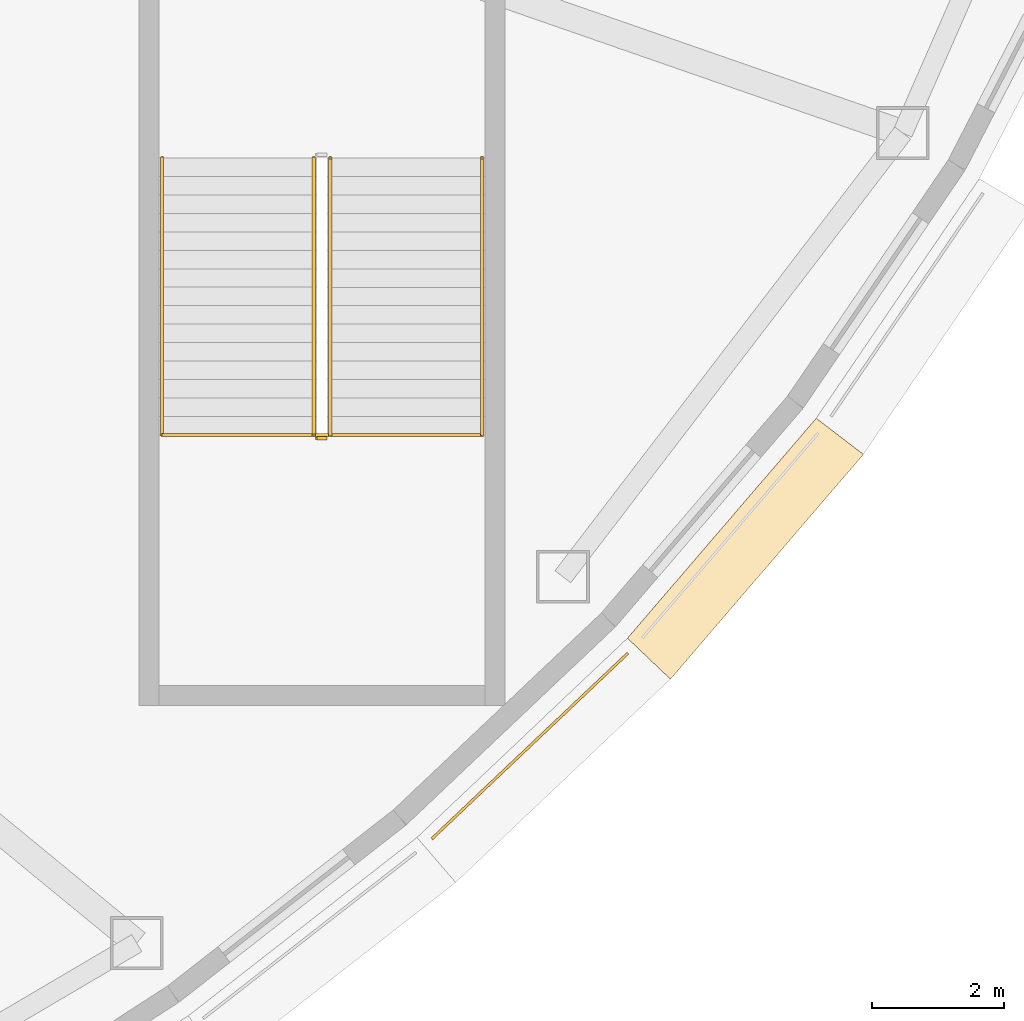
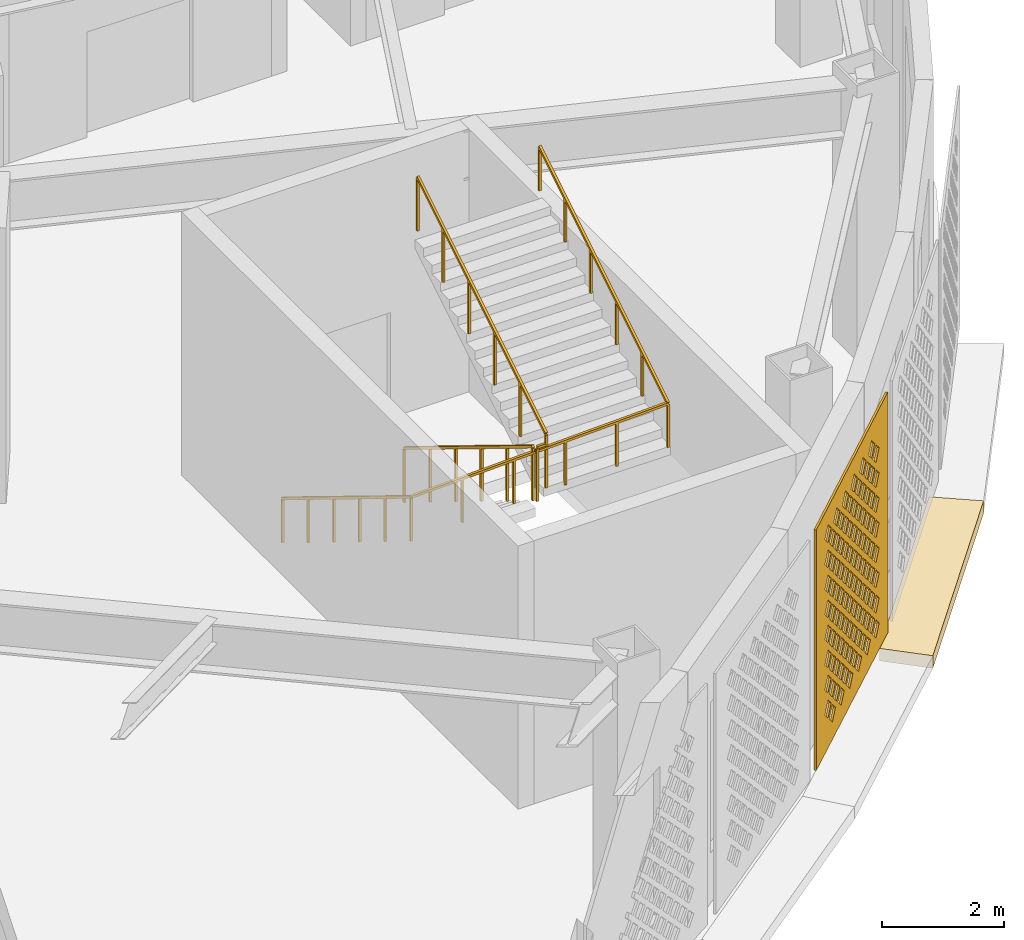
# One storey, part 65 of 69: 4 railings, 2 coverings.
"""IFC4 building model written with IfcOpenShell, lengths in metres."""

import ifcopenshell
import ifcopenshell.guid

model = None  # the IFC model being written
_history = None  # IfcOwnerHistory: only IFC2X3 demands one
_inside = {}  # id of a spatial element -> (the spatial element, [elements in it])
_under = {}  # id of a project, library or spatial element -> (it, [spatial elements below it])
_declared = {}  # id of a project -> (the project, [libraries it declares])
_typed = {}  # id of a type object -> (the type object, [elements of that type])
_made_of = {}  # id of a material, layer set ... -> (it, [elements and type objects made of it])


def new_model(schema):
    """Start an empty IFC model of exactly this schema.

    Asked for "IFC4X3", IfcOpenShell would pick the latest addendum, in which some entities
    have other attributes; the version numbers below select the first issue.
    IFC2X3 requires an IfcOwnerHistory on every rooted entity: one is made here for all.
    """
    global model, _history
    if schema == "IFC4X3":
        model = ifcopenshell.file(schema_version=(4, 3, 0, 0))
    else:
        model = ifcopenshell.file(schema=schema)
    _inside.clear()
    _under.clear()
    _declared.clear()
    _typed.clear()
    _made_of.clear()
    _history = None
    if model.schema == "IFC2X3":
        org = make("IfcOrganization", Name="unknown")
        user = make(
            "IfcPersonAndOrganization",
            ThePerson=make("IfcPerson", FamilyName="unknown"),
            TheOrganization=org,
        )
        app = make(
            "IfcApplication",
            ApplicationDeveloper=org,
            Version="unknown",
            ApplicationFullName="unknown",
            ApplicationIdentifier="unknown",
        )
        _history = make(
            "IfcOwnerHistory",
            OwningUser=user,
            OwningApplication=app,
            ChangeAction="ADDED",
            CreationDate=0,
        )
    return model


def make(cls, **values):
    """One entity of the class cls with the attributes given. An attribute that is None is left unset."""
    return model.create_entity(
        cls, **{name: value for name, value in values.items() if value is not None}
    )


def rooted(cls, **values):
    """An entity with a GlobalId (a new one), such as an element, a storey or a relation."""
    return make(cls, GlobalId=ifcopenshell.guid.new(), OwnerHistory=_history, **values)


def si_unit(unit_type, name, prefix=None):
    """IfcSIUnit, for example si_unit("LENGTHUNIT", "METRE", prefix="MILLI")."""
    return make("IfcSIUnit", UnitType=unit_type, Prefix=prefix, Name=name)


def assignment(units):
    """IfcUnitAssignment: the units of a project."""
    return None if units is None else make("IfcUnitAssignment", Units=units)


def point(xyz):
    """IfcCartesianPoint."""
    return None if xyz is None else make("IfcCartesianPoint", Coordinates=xyz)


def direction(xyz):
    """IfcDirection."""
    return None if xyz is None else make("IfcDirection", DirectionRatios=xyz)


def frame(location, z_axis=None, x_axis=None):
    """IfcAxis2Placement3D, a coordinate frame: its origin and axes. An axis left out is left unset."""
    return make(
        "IfcAxis2Placement3D",
        Location=point(location),
        Axis=direction(z_axis),
        RefDirection=direction(x_axis),
    )


def frame_2d(location, x_axis=None):
    """IfcAxis2Placement2D, a coordinate frame in the plane: its origin and x axis."""
    return make(
        "IfcAxis2Placement2D", Location=point(location), RefDirection=direction(x_axis)
    )


def origin():
    """The frame at (0, 0, 0) with its axes left unset."""
    return frame((0.0, 0.0, 0.0))


def origin_2d():
    """The frame at (0, 0) in the plane with its x axis left unset."""
    return frame_2d((0.0, 0.0))


def place(relative_to, where):
    """IfcLocalPlacement: puts the frame where relative to a parent placement (None: the world)."""
    return make(
        "IfcLocalPlacement", PlacementRelTo=relative_to, RelativePlacement=where
    )


def context(
    kind, dimensions, precision=None, world=None, true_north=None, identifier=None
):
    """IfcGeometricRepresentationContext, for example the 3D "Model" context."""
    return make(
        "IfcGeometricRepresentationContext",
        ContextIdentifier=identifier,
        ContextType=kind,
        CoordinateSpaceDimension=dimensions,
        Precision=precision,
        WorldCoordinateSystem=world,
        TrueNorth=true_north,
    )


def subcontext(parent, identifier, kind, view, scale=None):
    """IfcGeometricRepresentationSubContext, for example "Body" below "Model"."""
    return make(
        "IfcGeometricRepresentationSubContext",
        ContextIdentifier=identifier,
        ContextType=kind,
        ParentContext=parent,
        TargetScale=scale,
        TargetView=view,
    )


def project(units=None, contexts=None):
    """IfcProject with its units and contexts."""
    return rooted(
        "IfcProject",
        Name="project",
        RepresentationContexts=contexts,
        UnitsInContext=assignment(units),
    )


def spatial(cls, under=None, at=None, **own):
    """A site, building, storey or space (cls), placed at a placement, below another one or the project."""
    s = rooted(cls, ObjectPlacement=at, **own)
    if under is not None:
        _under.setdefault(under.id(), (under, []))[1].append(s)
    return s


def polyline(points):
    """IfcPolyline through the points."""
    return make("IfcPolyline", Points=[point(p) for p in points])


def profile(cls, at=None, kind="AREA", **sizes):
    """A parametric profile (cls). Its sizes go by their IFC names, for example OverallWidth=200.0."""
    return make(cls, ProfileType=kind, Position=at, **sizes)


def rectangle(**sizes):
    """IfcRectangleProfileDef."""
    return profile("IfcRectangleProfileDef", **sizes)


def outline(outer, holes=None, kind="AREA"):
    """IfcArbitraryClosedProfileDef: a profile drawn as a closed curve; with holes, ...WithVoids."""
    if holes is None:
        return make("IfcArbitraryClosedProfileDef", ProfileType=kind, OuterCurve=outer)
    return make(
        "IfcArbitraryProfileDefWithVoids",
        ProfileType=kind,
        OuterCurve=outer,
        InnerCurves=holes,
    )


def extrude(swept, where, along, depth):
    """IfcExtrudedAreaSolid: the profile swept, set in the frame where, extruded along a direction by depth."""
    return make(
        "IfcExtrudedAreaSolid",
        SweptArea=swept,
        Position=where,
        ExtrudedDirection=direction(along),
        Depth=depth,
    )


def shape(context_of_items, identifier, shape_type, items):
    """IfcShapeRepresentation: the items that make up one representation, for example the "Body"."""
    return make(
        "IfcShapeRepresentation",
        ContextOfItems=context_of_items,
        RepresentationIdentifier=identifier,
        RepresentationType=shape_type,
        Items=items,
    )


def material(Name=None, Category=None):
    """IfcMaterial."""
    return make("IfcMaterial", Name=Name, Category=Category)


def layer(
    of_material, thickness, ventilated=None, Name=None, Category=None, Priority=None
):
    """IfcMaterialLayer: one layer of a wall or slab, of a material (None: an air gap)."""
    return make(
        "IfcMaterialLayer",
        Material=of_material,
        LayerThickness=thickness,
        IsVentilated=ventilated,
        Name=Name,
        Category=Category,
        Priority=Priority,
    )


def layer_set(layers, Name=None):
    """IfcMaterialLayerSet."""
    return make("IfcMaterialLayerSet", MaterialLayers=layers, LayerSetName=Name)


def made_of(thing, what):
    """Note that an element or type object is made of a material, layer set ...; save() writes the relation."""
    if what is not None:
        _made_of.setdefault(what.id(), (what, []))[1].append(thing)
    return thing


def type_object(cls, material=None, **own):
    """A type object (cls), such as IfcWallType, which elements share."""
    return made_of(rooted(cls, **own), material)


def element(
    cls,
    number,
    at=None,
    inside=None,
    cuts=None,
    type_object=None,
    material=None,
    context=None,
    identifier="Body",
    shape_type=None,
    held_by="IfcProductDefinitionShape",
    body=None,
    shapes=None,
    **own,
):
    """One element of the class cls, such as IfcWall. Its Tag is "e" and its number.

    at: its placement. inside: the storey or other place that contains it. cuts: it is an
    opening in that element (IfcRelVoidsElement). A single representation is given by context,
    identifier, shape_type and body (its items); several are given by shapes. held_by: the class
    of the entity that holds the representations. save() writes the other relations.
    """
    e = rooted(cls, Tag="e%d" % number, ObjectPlacement=at, **own)
    if body is not None:
        shapes = [shape(context, identifier, shape_type, body)]
    if shapes is not None:
        e.Representation = make(held_by, Representations=shapes)
    if inside is not None:
        _inside.setdefault(inside.id(), (inside, []))[1].append(e)
    if cuts is not None:
        rooted(
            "IfcRelVoidsElement", RelatingBuildingElement=cuts, RelatedOpeningElement=e
        )
    if type_object is not None:
        _typed.setdefault(type_object.id(), (type_object, []))[1].append(e)
    return made_of(e, material)


def aggregate(whole, parts):
    """IfcRelAggregates: a whole, such as a stair, and the parts it consists of."""
    return rooted("IfcRelAggregates", RelatingObject=whole, RelatedObjects=parts)


def save(model, path):
    """Write the relations noted so far, then the file.

    IfcRelAggregates (storeys below a building ...), IfcRelContainedInSpatialStructure (elements
    in a storey), IfcRelDefinesByType, IfcRelAssociatesMaterial and IfcRelDeclares: one each for
    every whole, place, type object, material and project.
    """
    for whole, parts in _under.values():
        aggregate(whole, parts)
    for where, things in _inside.values():
        rooted(
            "IfcRelContainedInSpatialStructure",
            RelatedElements=things,
            RelatingStructure=where,
        )
    for kind, things in _typed.values():
        rooted("IfcRelDefinesByType", RelatedObjects=things, RelatingType=kind)
    for what, things in _made_of.values():
        rooted("IfcRelAssociatesMaterial", RelatedObjects=things, RelatingMaterial=what)
    for by, libraries in _declared.values():
        rooted("IfcRelDeclares", RelatingContext=by, RelatedDefinitions=libraries)
    model.write(path)


model = new_model("IFC4")

# Units and contexts
model_context = context("Model", 3, precision=1e-05, world=origin(), true_north=direction((0.0, 1.0)))
body_context = subcontext(model_context, "Body", "Model", "MODEL_VIEW")
ifc_project = project(units=[si_unit("LENGTHUNIT", "METRE"), si_unit("AREAUNIT", "SQUARE_METRE"), si_unit("VOLUMEUNIT", "CUBIC_METRE"), si_unit("PLANEANGLEUNIT", "RADIAN"), si_unit("MASSUNIT", "GRAM", prefix="KILO")], contexts=[model_context])

# Site, building, storey
site_placement = place(None, origin())
site = spatial("IfcSite", under=ifc_project, at=site_placement, CompositionType="ELEMENT")
building_placement = place(site_placement, origin())
building = spatial("IfcBuilding", under=site, at=building_placement, Name="Noorbagh Ring Tower", CompositionType="ELEMENT")
storey_placement = place(building_placement, frame((0.0, 0.0, 19.5)))
storey = spatial("IfcBuildingStorey", under=building, at=storey_placement, Name="L03", CompositionType="ELEMENT", Elevation=19.5)

# Railings
ifc_material_1 = material(Name="Stainless steel", Category="steel")
railing_type_1 = type_object("IfcRailingType", Name="GND-STAIR-GUARD", PredefinedType="GUARDRAIL", material=ifc_material_1)
railing_1_placement = place(storey_placement, frame((37.14990234375, -16.39990234375, 0.171875)))
element("IfcRailing", 1, at=railing_1_placement, inside=storey, type_object=railing_type_1, Name="L03 ST-P6 stair guard", PredefinedType="GUARDRAIL", context=body_context, shape_type="SweptSolid", body=[
    extrude(rectangle(XDim=0.048095703125, YDim=0.048095703125, at=origin_2d()), frame((0.0, 0.0, 1.076171875), z_axis=(0.0, -0.852256472501, 0.523124177495), x_axis=(1.0, 0.0, 0.0)), (0.0, 0.0, 1.0), 4.92822265625),
    extrude(rectangle(XDim=0.0419921875, YDim=0.0419921875, at=origin_2d()), origin(), (0.0, 0.0, 1.0), 1.052001953125),
    extrude(rectangle(XDim=0.0419921875, YDim=0.0419921875, at=origin_2d()), frame((0.0, -0.840087890625, 0.515625)), (0.0, 0.0, 1.0), 1.052001953125),
    extrude(rectangle(XDim=0.0419921875, YDim=0.0419921875, at=origin_2d()), frame((0.0, -1.68017578125, 1.03125)), (0.0, 0.0, 1.0), 1.052001953125),
    extrude(rectangle(XDim=0.0419921875, YDim=0.0419921875, at=origin_2d()), frame((0.0, -2.52001953125, 1.546875)), (0.0, 0.0, 1.0), 1.052001953125),
    extrude(rectangle(XDim=0.0419921875, YDim=0.0419921875, at=origin_2d()), frame((0.0, -3.360107421875, 2.0625)), (0.0, 0.0, 1.0), 1.052001953125),
    extrude(rectangle(XDim=0.0419921875, YDim=0.0419921875, at=origin_2d()), frame((0.0, -4.2001953125, 2.578125)), (0.0, 0.0, 1.0), 1.052001953125),
])
railing_2_placement = place(storey_placement, frame((37.199951171875, -20.64990234375, 2.75)))
element("IfcRailing", 2, at=railing_2_placement, inside=storey, type_object=railing_type_1, Name="L03 ST-P6 stair guard", PredefinedType="GUARDRAIL", context=body_context, shape_type="SweptSolid", body=[
    extrude(rectangle(XDim=0.048095703125, YDim=0.048095703125, at=origin_2d()), frame((0.0, 0.0, 1.076171875), z_axis=(1.0, 0.0, 0.0), x_axis=(0.0, 1.0, 0.0)), (0.0, 0.0, 1.0), 0.150146484375),
    extrude(rectangle(XDim=0.0419921875, YDim=0.0419921875, at=origin_2d()), origin(), (0.0, 0.0, 1.0), 1.052001953125),
])
railing_3_placement = place(storey_placement, frame((37.39990234375, -20.60009765625, 2.921875)))
element("IfcRailing", 3, at=railing_3_placement, inside=storey, type_object=railing_type_1, Name="L03 ST-P6 stair guard", PredefinedType="GUARDRAIL", context=body_context, shape_type="SweptSolid", body=[
    extrude(rectangle(XDim=0.048095703125, YDim=0.048095703125, at=origin_2d()), frame((0.0, 0.0, 1.076171875), z_axis=(0.0, 0.852256472501, 0.523124177495), x_axis=(-1.0, 0.0, 0.0)), (0.0, 0.0, 1.0), 4.92822265625),
    extrude(rectangle(XDim=0.0419921875, YDim=0.0419921875, at=origin_2d()), origin(), (0.0, 0.0, 1.0), 1.052001953125),
    extrude(rectangle(XDim=0.0419921875, YDim=0.0419921875, at=origin_2d()), frame((0.0, 0.840087890625, 0.515625)), (0.0, 0.0, 1.0), 1.052001953125),
    extrude(rectangle(XDim=0.0419921875, YDim=0.0419921875, at=origin_2d()), frame((0.0, 1.68017578125, 1.03125)), (0.0, 0.0, 1.0), 1.052001953125),
    extrude(rectangle(XDim=0.0419921875, YDim=0.0419921875, at=origin_2d()), frame((0.0, 2.52001953125, 1.546875)), (0.0, 0.0, 1.0), 1.052001953125),
    extrude(rectangle(XDim=0.0419921875, YDim=0.0419921875, at=origin_2d()), frame((0.0, 3.360107421875, 2.0625)), (0.0, 0.0, 1.0), 1.052001953125),
    extrude(rectangle(XDim=0.0419921875, YDim=0.0419921875, at=origin_2d()), frame((0.0, 4.2001953125, 2.578125)), (0.0, 0.0, 1.0), 1.052001953125),
])
ifc_material_2 = material(Name="Stainless steel", Category="steel")
railing_type_2 = type_object("IfcRailingType", Name="GND-STAIR-HANDRAIL", PredefinedType="HANDRAIL", material=ifc_material_2)
railing_4_placement = place(storey_placement, frame((34.85009765625, -16.39990234375, 0.171875)))
element("IfcRailing", 4, at=railing_4_placement, inside=storey, type_object=railing_type_2, Name="L03 ST-P6 stair handrail", PredefinedType="HANDRAIL", context=body_context, shape_type="SweptSolid", body=[
    extrude(rectangle(XDim=0.048095703125, YDim=0.048095703125, at=origin_2d()), frame((0.0, 0.0, 0.8759765625), z_axis=(0.0, -0.852256472501, 0.523124177495), x_axis=(1.0, 0.0, 0.0)), (0.0, 0.0, 1.0), 4.92822265625),
    extrude(rectangle(XDim=0.048095703125, YDim=0.048095703125, at=origin_2d()), frame((0.0, -4.2001953125, 3.4541015625), z_axis=(0.99937262193, 0.0, 0.035416980913), x_axis=(0.0, 1.0, 0.0)), (0.0, 0.0, 1.0), 4.852783203125),
    extrude(rectangle(XDim=0.048095703125, YDim=0.048095703125, at=origin_2d()), frame((4.849853515625, -4.2001953125, 3.6259765625), z_axis=(0.0, 0.852256472501, 0.523124177495), x_axis=(-1.0, 0.0, 0.0)), (0.0, 0.0, 1.0), 4.92822265625),
    extrude(rectangle(XDim=0.0419921875, YDim=0.0419921875, at=origin_2d()), origin(), (0.0, 0.0, 1.0), 0.851806640625),
    extrude(rectangle(XDim=0.0419921875, YDim=0.0419921875, at=origin_2d()), frame((0.0, -0.840087890625, 0.515625)), (0.0, 0.0, 1.0), 0.851806640625),
    extrude(rectangle(XDim=0.0419921875, YDim=0.0419921875, at=origin_2d()), frame((0.0, -1.68017578125, 1.03125)), (0.0, 0.0, 1.0), 0.851806640625),
    extrude(rectangle(XDim=0.0419921875, YDim=0.0419921875, at=origin_2d()), frame((0.0, -2.52001953125, 1.546875)), (0.0, 0.0, 1.0), 0.851806640625),
    extrude(rectangle(XDim=0.0419921875, YDim=0.0419921875, at=origin_2d()), frame((0.0, -3.360107421875, 2.0625)), (0.0, 0.0, 1.0), 0.851806640625),
    extrude(rectangle(XDim=0.0419921875, YDim=0.0419921875, at=origin_2d()), frame((0.0, -4.2001953125, 2.578125)), (0.0, 0.0, 1.0), 0.851806640625),
    extrude(rectangle(XDim=0.0419921875, YDim=0.0419921875, at=origin_2d()), frame((0.969970703125, -4.2001953125, 2.612548828125)), (0.0, 0.0, 1.0), 0.851806640625),
    extrude(rectangle(XDim=0.0419921875, YDim=0.0419921875, at=origin_2d()), frame((1.93994140625, -4.2001953125, 2.64697265625)), (0.0, 0.0, 1.0), 0.851806640625),
    extrude(rectangle(XDim=0.0419921875, YDim=0.0419921875, at=origin_2d()), frame((2.909912109375, -4.2001953125, 2.68115234375)), (0.0, 0.0, 1.0), 0.851806640625),
    extrude(rectangle(XDim=0.0419921875, YDim=0.0419921875, at=origin_2d()), frame((3.8798828125, -4.2001953125, 2.715576171875)), (0.0, 0.0, 1.0), 0.851806640625),
    extrude(rectangle(XDim=0.0419921875, YDim=0.0419921875, at=origin_2d()), frame((4.849853515625, -4.2001953125, 2.75)), (0.0, 0.0, 1.0), 0.851806640625),
    extrude(rectangle(XDim=0.0419921875, YDim=0.0419921875, at=origin_2d()), frame((4.849853515625, -3.360107421875, 3.265625)), (0.0, 0.0, 1.0), 0.851806640625),
    extrude(rectangle(XDim=0.0419921875, YDim=0.0419921875, at=origin_2d()), frame((4.849853515625, -2.52001953125, 3.78125)), (0.0, 0.0, 1.0), 0.851806640625),
    extrude(rectangle(XDim=0.0419921875, YDim=0.0419921875, at=origin_2d()), frame((4.849853515625, -1.68017578125, 4.296875)), (0.0, 0.0, 1.0), 0.851806640625),
    extrude(rectangle(XDim=0.0419921875, YDim=0.0419921875, at=origin_2d()), frame((4.849853515625, -0.840087890625, 4.8125)), (0.0, 0.0, 1.0), 0.851806640625),
    extrude(rectangle(XDim=0.0419921875, YDim=0.0419921875, at=origin_2d()), frame((4.849853515625, 0.0, 5.328125)), (0.0, 0.0, 1.0), 0.851806640625),
])

# Coverings
ifc_material_3 = material(Name="Red sandstone eave", Category="masonry")
covering_type_1 = type_object("IfcCoveringType", Name="STY-CHHAJJA", PredefinedType="USERDEFINED", material=ifc_material_3)
covering_1_placement = place(storey_placement, frame((0.0, 0.0, -0.25)))
element("IfcCovering", 5, at=covering_1_placement, inside=storey, type_object=covering_type_1, Name="Chhajja eave", ObjectType="CHHAJJA", PredefinedType="USERDEFINED", context=body_context, shape_type="SweptSolid", body=[
    extrude(outline(polyline([(41.906494140625, -23.682373046875), (44.77001953125, -20.346923828125), (45.485595703125, -20.89501953125), (42.55908203125, -24.3037109375), (41.906494140625, -23.682373046875)])), origin(), (0.0, 0.0, 1.0), 0.25),
])
ifc_material_4 = material(Name="Red sandstone jali", Category="masonry")
ifc_layer = layer(ifc_material_4, 0.0400390625)
ifc_layer_set = layer_set([ifc_layer], Name="Red sandstone jali")
covering_type_2 = type_object("IfcCoveringType", Name="STY-JALI", PredefinedType="USERDEFINED", material=ifc_layer_set)
covering_2_placement = place(storey_placement, frame((38.953857421875, -26.739501953125, 0.449951171875), z_axis=(0.687531349275, -0.726154696855, 0.0), x_axis=(0.726154696855, 0.687531349275, 0.0)))
element("IfcCovering", 6, at=covering_2_placement, inside=storey, type_object=covering_type_2, Name="Jali screen", ObjectType="SCREEN", PredefinedType="USERDEFINED", context=body_context, shape_type="SweptSolid", body=[
    extrude(outline(polyline([(0.0, 0.0), (4.095947265625, 0.0), (4.095947265625, 4.800048828125), (0.0, 4.800048828125), (0.0, 0.0)]), holes=[polyline([(0.742919921875, 0.52490234375), (0.923095703125, 0.344970703125), (1.10302734375, 0.52490234375), (0.923095703125, 0.705078125), (0.742919921875, 0.52490234375)]), polyline([(1.242919921875, 0.52490234375), (1.423095703125, 0.344970703125), (1.60302734375, 0.52490234375), (1.423095703125, 0.705078125), (1.242919921875, 0.52490234375)]), polyline([(1.742919921875, 0.52490234375), (1.923095703125, 0.344970703125), (2.10302734375, 0.52490234375), (1.923095703125, 0.705078125), (1.742919921875, 0.52490234375)]), polyline([(2.242919921875, 0.52490234375), (2.423095703125, 0.344970703125), (2.60302734375, 0.52490234375), (2.423095703125, 0.705078125), (2.242919921875, 0.52490234375)]), polyline([(2.742919921875, 0.52490234375), (2.923095703125, 0.344970703125), (3.10302734375, 0.52490234375), (2.923095703125, 0.705078125), (2.742919921875, 0.52490234375)]), polyline([(3.242919921875, 0.52490234375), (3.423095703125, 0.344970703125), (3.60302734375, 0.52490234375), (3.423095703125, 0.705078125), (3.242919921875, 0.52490234375)]), polyline([(0.492919921875, 0.77490234375), (0.673095703125, 0.594970703125), (0.85302734375, 0.77490234375), (0.673095703125, 0.955078125), (0.492919921875, 0.77490234375)]), polyline([(0.992919921875, 0.77490234375), (1.173095703125, 0.594970703125), (1.35302734375, 0.77490234375), (1.173095703125, 0.955078125), (0.992919921875, 0.77490234375)]), polyline([(1.492919921875, 0.77490234375), (1.673095703125, 0.594970703125), (1.85302734375, 0.77490234375), (1.673095703125, 0.955078125), (1.492919921875, 0.77490234375)]), polyline([(1.992919921875, 0.77490234375), (2.173095703125, 0.594970703125), (2.35302734375, 0.77490234375), (2.173095703125, 0.955078125), (1.992919921875, 0.77490234375)]), polyline([(2.492919921875, 0.77490234375), (2.673095703125, 0.594970703125), (2.85302734375, 0.77490234375), (2.673095703125, 0.955078125), (2.492919921875, 0.77490234375)]), polyline([(2.992919921875, 0.77490234375), (3.173095703125, 0.594970703125), (3.35302734375, 0.77490234375), (3.173095703125, 0.955078125), (2.992919921875, 0.77490234375)]), polyline([(0.742919921875, 1.02490234375), (0.923095703125, 0.844970703125), (1.10302734375, 1.02490234375), (0.923095703125, 1.205078125), (0.742919921875, 1.02490234375)]), polyline([(1.242919921875, 1.02490234375), (1.423095703125, 0.844970703125), (1.60302734375, 1.02490234375), (1.423095703125, 1.205078125), (1.242919921875, 1.02490234375)]), polyline([(1.742919921875, 1.02490234375), (1.923095703125, 0.844970703125), (2.10302734375, 1.02490234375), (1.923095703125, 1.205078125), (1.742919921875, 1.02490234375)]), polyline([(2.242919921875, 1.02490234375), (2.423095703125, 0.844970703125), (2.60302734375, 1.02490234375), (2.423095703125, 1.205078125), (2.242919921875, 1.02490234375)]), polyline([(2.742919921875, 1.02490234375), (2.923095703125, 0.844970703125), (3.10302734375, 1.02490234375), (2.923095703125, 1.205078125), (2.742919921875, 1.02490234375)]), polyline([(3.242919921875, 1.02490234375), (3.423095703125, 0.844970703125), (3.60302734375, 1.02490234375), (3.423095703125, 1.205078125), (3.242919921875, 1.02490234375)]), polyline([(0.492919921875, 1.27490234375), (0.673095703125, 1.094970703125), (0.85302734375, 1.27490234375), (0.673095703125, 1.455078125), (0.492919921875, 1.27490234375)]), polyline([(0.992919921875, 1.27490234375), (1.173095703125, 1.094970703125), (1.35302734375, 1.27490234375), (1.173095703125, 1.455078125), (0.992919921875, 1.27490234375)]), polyline([(1.492919921875, 1.27490234375), (1.673095703125, 1.094970703125), (1.85302734375, 1.27490234375), (1.673095703125, 1.455078125), (1.492919921875, 1.27490234375)]), polyline([(1.992919921875, 1.27490234375), (2.173095703125, 1.094970703125), (2.35302734375, 1.27490234375), (2.173095703125, 1.455078125), (1.992919921875, 1.27490234375)]), polyline([(2.492919921875, 1.27490234375), (2.673095703125, 1.094970703125), (2.85302734375, 1.27490234375), (2.673095703125, 1.455078125), (2.492919921875, 1.27490234375)]), polyline([(2.992919921875, 1.27490234375), (3.173095703125, 1.094970703125), (3.35302734375, 1.27490234375), (3.173095703125, 1.455078125), (2.992919921875, 1.27490234375)]), polyline([(0.742919921875, 1.52490234375), (0.923095703125, 1.344970703125), (1.10302734375, 1.52490234375), (0.923095703125, 1.705078125), (0.742919921875, 1.52490234375)]), polyline([(1.242919921875, 1.52490234375), (1.423095703125, 1.344970703125), (1.60302734375, 1.52490234375), (1.423095703125, 1.705078125), (1.242919921875, 1.52490234375)]), polyline([(1.742919921875, 1.52490234375), (1.923095703125, 1.344970703125), (2.10302734375, 1.52490234375), (1.923095703125, 1.705078125), (1.742919921875, 1.52490234375)]), polyline([(2.242919921875, 1.52490234375), (2.423095703125, 1.344970703125), (2.60302734375, 1.52490234375), (2.423095703125, 1.705078125), (2.242919921875, 1.52490234375)]), polyline([(2.742919921875, 1.52490234375), (2.923095703125, 1.344970703125), (3.10302734375, 1.52490234375), (2.923095703125, 1.705078125), (2.742919921875, 1.52490234375)]), polyline([(3.242919921875, 1.52490234375), (3.423095703125, 1.344970703125), (3.60302734375, 1.52490234375), (3.423095703125, 1.705078125), (3.242919921875, 1.52490234375)]), polyline([(0.492919921875, 1.77490234375), (0.673095703125, 1.594970703125), (0.85302734375, 1.77490234375), (0.673095703125, 1.955078125), (0.492919921875, 1.77490234375)]), polyline([(0.992919921875, 1.77490234375), (1.173095703125, 1.594970703125), (1.35302734375, 1.77490234375), (1.173095703125, 1.955078125), (0.992919921875, 1.77490234375)]), polyline([(1.492919921875, 1.77490234375), (1.673095703125, 1.594970703125), (1.85302734375, 1.77490234375), (1.673095703125, 1.955078125), (1.492919921875, 1.77490234375)]), polyline([(1.992919921875, 1.77490234375), (2.173095703125, 1.594970703125), (2.35302734375, 1.77490234375), (2.173095703125, 1.955078125), (1.992919921875, 1.77490234375)]), polyline([(2.492919921875, 1.77490234375), (2.673095703125, 1.594970703125), (2.85302734375, 1.77490234375), (2.673095703125, 1.955078125), (2.492919921875, 1.77490234375)]), polyline([(2.992919921875, 1.77490234375), (3.173095703125, 1.594970703125), (3.35302734375, 1.77490234375), (3.173095703125, 1.955078125), (2.992919921875, 1.77490234375)]), polyline([(0.742919921875, 2.02490234375), (0.923095703125, 1.844970703125), (1.10302734375, 2.02490234375), (0.923095703125, 2.205078125), (0.742919921875, 2.02490234375)]), polyline([(1.242919921875, 2.02490234375), (1.423095703125, 1.844970703125), (1.60302734375, 2.02490234375), (1.423095703125, 2.205078125), (1.242919921875, 2.02490234375)]), polyline([(1.742919921875, 2.02490234375), (1.923095703125, 1.844970703125), (2.10302734375, 2.02490234375), (1.923095703125, 2.205078125), (1.742919921875, 2.02490234375)]), polyline([(2.242919921875, 2.02490234375), (2.423095703125, 1.844970703125), (2.60302734375, 2.02490234375), (2.423095703125, 2.205078125), (2.242919921875, 2.02490234375)]), polyline([(2.742919921875, 2.02490234375), (2.923095703125, 1.844970703125), (3.10302734375, 2.02490234375), (2.923095703125, 2.205078125), (2.742919921875, 2.02490234375)]), polyline([(3.242919921875, 2.02490234375), (3.423095703125, 1.844970703125), (3.60302734375, 2.02490234375), (3.423095703125, 2.205078125), (3.242919921875, 2.02490234375)]), polyline([(0.492919921875, 2.27490234375), (0.673095703125, 2.094970703125), (0.85302734375, 2.27490234375), (0.673095703125, 2.455078125), (0.492919921875, 2.27490234375)]), polyline([(0.992919921875, 2.27490234375), (1.173095703125, 2.094970703125), (1.35302734375, 2.27490234375), (1.173095703125, 2.455078125), (0.992919921875, 2.27490234375)]), polyline([(1.492919921875, 2.27490234375), (1.673095703125, 2.094970703125), (1.85302734375, 2.27490234375), (1.673095703125, 2.455078125), (1.492919921875, 2.27490234375)]), polyline([(1.992919921875, 2.27490234375), (2.173095703125, 2.094970703125), (2.35302734375, 2.27490234375), (2.173095703125, 2.455078125), (1.992919921875, 2.27490234375)]), polyline([(2.492919921875, 2.27490234375), (2.673095703125, 2.094970703125), (2.85302734375, 2.27490234375), (2.673095703125, 2.455078125), (2.492919921875, 2.27490234375)]), polyline([(2.992919921875, 2.27490234375), (3.173095703125, 2.094970703125), (3.35302734375, 2.27490234375), (3.173095703125, 2.455078125), (2.992919921875, 2.27490234375)]), polyline([(0.742919921875, 2.52490234375), (0.923095703125, 2.344970703125), (1.10302734375, 2.52490234375), (0.923095703125, 2.705078125), (0.742919921875, 2.52490234375)]), polyline([(1.242919921875, 2.52490234375), (1.423095703125, 2.344970703125), (1.60302734375, 2.52490234375), (1.423095703125, 2.705078125), (1.242919921875, 2.52490234375)]), polyline([(1.742919921875, 2.52490234375), (1.923095703125, 2.344970703125), (2.10302734375, 2.52490234375), (1.923095703125, 2.705078125), (1.742919921875, 2.52490234375)]), polyline([(2.242919921875, 2.52490234375), (2.423095703125, 2.344970703125), (2.60302734375, 2.52490234375), (2.423095703125, 2.705078125), (2.242919921875, 2.52490234375)]), polyline([(2.742919921875, 2.52490234375), (2.923095703125, 2.344970703125), (3.10302734375, 2.52490234375), (2.923095703125, 2.705078125), (2.742919921875, 2.52490234375)]), polyline([(3.242919921875, 2.52490234375), (3.423095703125, 2.344970703125), (3.60302734375, 2.52490234375), (3.423095703125, 2.705078125), (3.242919921875, 2.52490234375)]), polyline([(0.492919921875, 2.77490234375), (0.673095703125, 2.594970703125), (0.85302734375, 2.77490234375), (0.673095703125, 2.955078125), (0.492919921875, 2.77490234375)]), polyline([(0.992919921875, 2.77490234375), (1.173095703125, 2.594970703125), (1.35302734375, 2.77490234375), (1.173095703125, 2.955078125), (0.992919921875, 2.77490234375)]), polyline([(1.492919921875, 2.77490234375), (1.673095703125, 2.594970703125), (1.85302734375, 2.77490234375), (1.673095703125, 2.955078125), (1.492919921875, 2.77490234375)]), polyline([(1.992919921875, 2.77490234375), (2.173095703125, 2.594970703125), (2.35302734375, 2.77490234375), (2.173095703125, 2.955078125), (1.992919921875, 2.77490234375)]), polyline([(2.492919921875, 2.77490234375), (2.673095703125, 2.594970703125), (2.85302734375, 2.77490234375), (2.673095703125, 2.955078125), (2.492919921875, 2.77490234375)]), polyline([(2.992919921875, 2.77490234375), (3.173095703125, 2.594970703125), (3.35302734375, 2.77490234375), (3.173095703125, 2.955078125), (2.992919921875, 2.77490234375)]), polyline([(0.742919921875, 3.02490234375), (0.923095703125, 2.844970703125), (1.10302734375, 3.02490234375), (0.923095703125, 3.205078125), (0.742919921875, 3.02490234375)]), polyline([(1.242919921875, 3.02490234375), (1.423095703125, 2.844970703125), (1.60302734375, 3.02490234375), (1.423095703125, 3.205078125), (1.242919921875, 3.02490234375)]), polyline([(1.742919921875, 3.02490234375), (1.923095703125, 2.844970703125), (2.10302734375, 3.02490234375), (1.923095703125, 3.205078125), (1.742919921875, 3.02490234375)]), polyline([(2.242919921875, 3.02490234375), (2.423095703125, 2.844970703125), (2.60302734375, 3.02490234375), (2.423095703125, 3.205078125), (2.242919921875, 3.02490234375)]), polyline([(2.742919921875, 3.02490234375), (2.923095703125, 2.844970703125), (3.10302734375, 3.02490234375), (2.923095703125, 3.205078125), (2.742919921875, 3.02490234375)]), polyline([(3.242919921875, 3.02490234375), (3.423095703125, 2.844970703125), (3.60302734375, 3.02490234375), (3.423095703125, 3.205078125), (3.242919921875, 3.02490234375)]), polyline([(0.492919921875, 3.27490234375), (0.673095703125, 3.094970703125), (0.85302734375, 3.27490234375), (0.673095703125, 3.455078125), (0.492919921875, 3.27490234375)]), polyline([(0.992919921875, 3.27490234375), (1.173095703125, 3.094970703125), (1.35302734375, 3.27490234375), (1.173095703125, 3.455078125), (0.992919921875, 3.27490234375)]), polyline([(1.492919921875, 3.27490234375), (1.673095703125, 3.094970703125), (1.85302734375, 3.27490234375), (1.673095703125, 3.455078125), (1.492919921875, 3.27490234375)]), polyline([(1.992919921875, 3.27490234375), (2.173095703125, 3.094970703125), (2.35302734375, 3.27490234375), (2.173095703125, 3.455078125), (1.992919921875, 3.27490234375)]), polyline([(2.492919921875, 3.27490234375), (2.673095703125, 3.094970703125), (2.85302734375, 3.27490234375), (2.673095703125, 3.455078125), (2.492919921875, 3.27490234375)]), polyline([(2.992919921875, 3.27490234375), (3.173095703125, 3.094970703125), (3.35302734375, 3.27490234375), (3.173095703125, 3.455078125), (2.992919921875, 3.27490234375)]), polyline([(0.742919921875, 3.52490234375), (0.923095703125, 3.344970703125), (1.10302734375, 3.52490234375), (0.923095703125, 3.705078125), (0.742919921875, 3.52490234375)]), polyline([(1.242919921875, 3.52490234375), (1.423095703125, 3.344970703125), (1.60302734375, 3.52490234375), (1.423095703125, 3.705078125), (1.242919921875, 3.52490234375)]), polyline([(1.742919921875, 3.52490234375), (1.923095703125, 3.344970703125), (2.10302734375, 3.52490234375), (1.923095703125, 3.705078125), (1.742919921875, 3.52490234375)]), polyline([(2.242919921875, 3.52490234375), (2.423095703125, 3.344970703125), (2.60302734375, 3.52490234375), (2.423095703125, 3.705078125), (2.242919921875, 3.52490234375)]), polyline([(2.742919921875, 3.52490234375), (2.923095703125, 3.344970703125), (3.10302734375, 3.52490234375), (2.923095703125, 3.705078125), (2.742919921875, 3.52490234375)]), polyline([(3.242919921875, 3.52490234375), (3.423095703125, 3.344970703125), (3.60302734375, 3.52490234375), (3.423095703125, 3.705078125), (3.242919921875, 3.52490234375)]), polyline([(0.492919921875, 3.77490234375), (0.673095703125, 3.594970703125), (0.85302734375, 3.77490234375), (0.673095703125, 3.955078125), (0.492919921875, 3.77490234375)]), polyline([(0.992919921875, 3.77490234375), (1.173095703125, 3.594970703125), (1.35302734375, 3.77490234375), (1.173095703125, 3.955078125), (0.992919921875, 3.77490234375)]), polyline([(1.492919921875, 3.77490234375), (1.673095703125, 3.594970703125), (1.85302734375, 3.77490234375), (1.673095703125, 3.955078125), (1.492919921875, 3.77490234375)]), polyline([(1.992919921875, 3.77490234375), (2.173095703125, 3.594970703125), (2.35302734375, 3.77490234375), (2.173095703125, 3.955078125), (1.992919921875, 3.77490234375)]), polyline([(2.492919921875, 3.77490234375), (2.673095703125, 3.594970703125), (2.85302734375, 3.77490234375), (2.673095703125, 3.955078125), (2.492919921875, 3.77490234375)]), polyline([(2.992919921875, 3.77490234375), (3.173095703125, 3.594970703125), (3.35302734375, 3.77490234375), (3.173095703125, 3.955078125), (2.992919921875, 3.77490234375)]), polyline([(0.742919921875, 4.02490234375), (0.923095703125, 3.844970703125), (1.10302734375, 4.02490234375), (0.923095703125, 4.205078125), (0.742919921875, 4.02490234375)]), polyline([(1.242919921875, 4.02490234375), (1.423095703125, 3.844970703125), (1.60302734375, 4.02490234375), (1.423095703125, 4.205078125), (1.242919921875, 4.02490234375)]), polyline([(1.742919921875, 4.02490234375), (1.923095703125, 3.844970703125), (2.10302734375, 4.02490234375), (1.923095703125, 4.205078125), (1.742919921875, 4.02490234375)]), polyline([(2.242919921875, 4.02490234375), (2.423095703125, 3.844970703125), (2.60302734375, 4.02490234375), (2.423095703125, 4.205078125), (2.242919921875, 4.02490234375)]), polyline([(2.742919921875, 4.02490234375), (2.923095703125, 3.844970703125), (3.10302734375, 4.02490234375), (2.923095703125, 4.205078125), (2.742919921875, 4.02490234375)]), polyline([(3.242919921875, 4.02490234375), (3.423095703125, 3.844970703125), (3.60302734375, 4.02490234375), (3.423095703125, 4.205078125), (3.242919921875, 4.02490234375)]), polyline([(0.492919921875, 4.27490234375), (0.673095703125, 4.094970703125), (0.85302734375, 4.27490234375), (0.673095703125, 4.455078125), (0.492919921875, 4.27490234375)]), polyline([(0.992919921875, 4.27490234375), (1.173095703125, 4.094970703125), (1.35302734375, 4.27490234375), (1.173095703125, 4.455078125), (0.992919921875, 4.27490234375)]), polyline([(1.492919921875, 4.27490234375), (1.673095703125, 4.094970703125), (1.85302734375, 4.27490234375), (1.673095703125, 4.455078125), (1.492919921875, 4.27490234375)]), polyline([(1.992919921875, 4.27490234375), (2.173095703125, 4.094970703125), (2.35302734375, 4.27490234375), (2.173095703125, 4.455078125), (1.992919921875, 4.27490234375)]), polyline([(2.492919921875, 4.27490234375), (2.673095703125, 4.094970703125), (2.85302734375, 4.27490234375), (2.673095703125, 4.455078125), (2.492919921875, 4.27490234375)]), polyline([(2.992919921875, 4.27490234375), (3.173095703125, 4.094970703125), (3.35302734375, 4.27490234375), (3.173095703125, 4.455078125), (2.992919921875, 4.27490234375)])]), origin(), (0.0, 0.0, -1.0), 0.0400390625),
])

save(model, "model.ifc")
